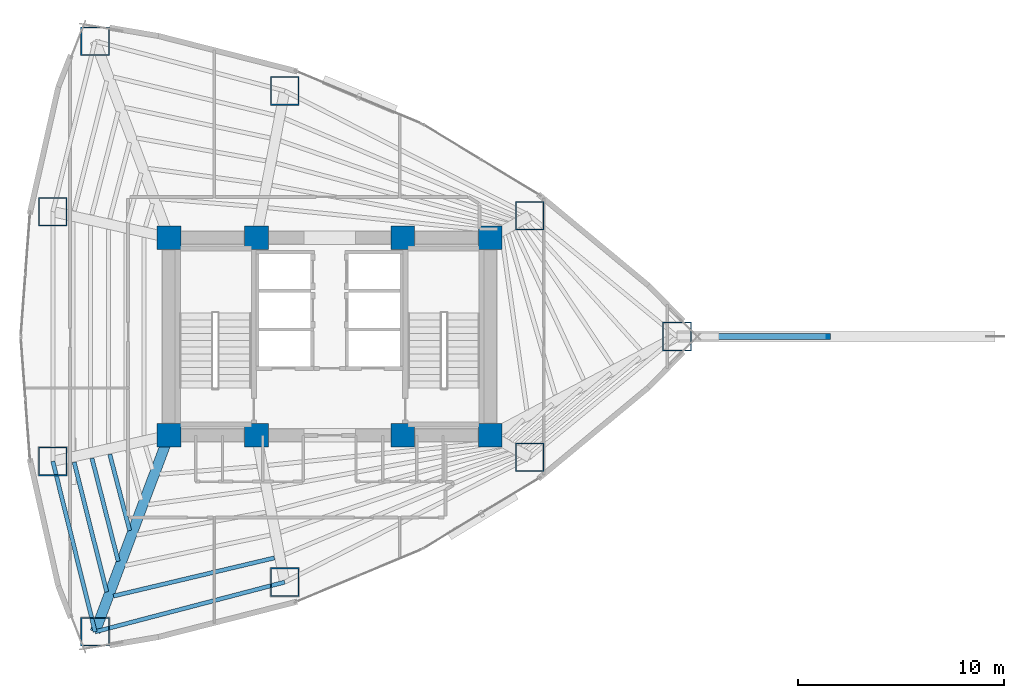
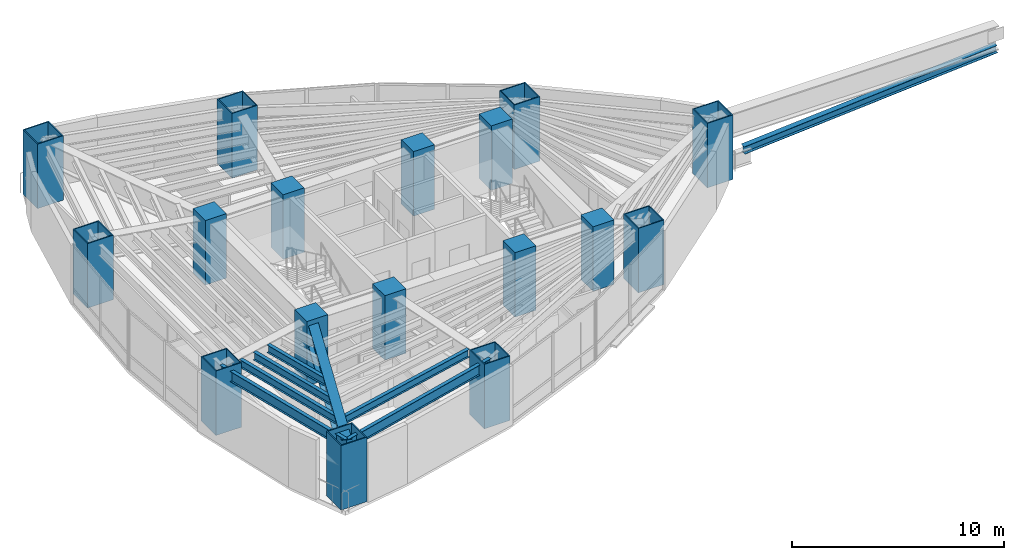
# One storey, part 1 of 18: 18 columns, 7 beams.
"""IFC4 building model written with IfcOpenShell, lengths in metres."""

from ifc_helpers import new_model, si_unit, direction, frame, origin, origin_2d, place, context, subcontext, project, spatial, rectangle, hollow_rectangle, i_section, extrude, material, material_profile, profile_set, type_object, element, save


model = new_model("IFC4")

# Units and contexts
model_context = context("Model", 3, precision=1e-05, world=origin(), true_north=direction((0.0, 1.0)))
body_context = subcontext(model_context, "Body", "Model", "MODEL_VIEW")
ifc_project = project(units=[si_unit("LENGTHUNIT", "METRE"), si_unit("AREAUNIT", "SQUARE_METRE"), si_unit("VOLUMEUNIT", "CUBIC_METRE"), si_unit("PLANEANGLEUNIT", "RADIAN"), si_unit("MASSUNIT", "GRAM", prefix="KILO")], contexts=[model_context])

# Site, building, storey
site_placement = place(None, origin())
site = spatial("IfcSite", under=ifc_project, at=site_placement, CompositionType="ELEMENT")
building_placement = place(site_placement, origin())
building = spatial("IfcBuilding", under=site, at=building_placement, Name="Menara Vayukalpa", CompositionType="ELEMENT")
storey_placement = place(building_placement, frame((0.0, 0.0, 53.639892578125)))
storey = spatial("IfcBuildingStorey", under=building, at=storey_placement, Name="L12", CompositionType="ELEMENT", Elevation=53.639892578125)

# Columns
ifc_material_1 = material(Name="Concrete C80/95", Category="concrete")
ifc_material_profile_1 = material_profile(ifc_material_1, rectangle(XDim=1.14990234375, YDim=1.14990234375, at=origin_2d()), Name="RC 1150x1150")
ifc_profile_set_1 = profile_set([ifc_material_profile_1], Name="Concrete C80/95")
column_type_1 = type_object("IfcColumnType", Name="COL-CC1", PredefinedType="COLUMN", material=ifc_profile_set_1)
for number, where, z_axis, x_axis, name in (
    (1, (17.800048828125, 17.199951171875, 0.0), (0.0, 0.0, 1.0), (1.0, 0.0, 0.0), "L12 Core Pilaster Column CC1"),
    (2, (22.050048828125, 17.199951171875, 0.0), (0.0, 0.0, 1.0), (1.0, 0.0, 0.0), "L12 Core Pilaster Column CC2"),
    (3, (29.14990234375, 17.199951171875, 0.0), (0.0, 0.0, 1.0), (1.0, 0.0, 0.0), "L12 Core Pilaster Column CC3"),
    (4, (33.39990234375, 17.199951171875, 0.0), (0.0, 0.0, 1.0), (1.0, 0.0, 0.0), "L12 Core Pilaster Column CC4"),
    (5, (17.800048828125, 26.800048828125, 0.0), (0.0, 0.0, 1.0), (1.0, 0.0, 0.0), "L12 Core Pilaster Column CC5"),
    (6, (22.050048828125, 26.800048828125, 0.0), (0.0, 0.0, 1.0), (1.0, 0.0, 0.0), "L12 Core Pilaster Column CC6"),
    (7, (29.14990234375, 26.800048828125, 0.0), (0.0, 0.0, 1.0), (1.0, 0.0, 0.0), "L12 Core Pilaster Column CC7"),
    (8, (33.39990234375, 26.800048828125, 0.0), (0.0, 0.0, 1.0), (1.0, 0.0, 0.0), "L12 Core Pilaster Column CC8"),
):
    element("IfcColumn", number, at=place(storey_placement, frame(where, z_axis=z_axis, x_axis=x_axis)), inside=storey, type_object=column_type_1, Name=name, PredefinedType="COLUMN", context=body_context, shape_type="SweptSolid", body=[
        extrude(rectangle(XDim=1.14990234375, YDim=1.14990234375, at=origin_2d()), origin(), (0.0, 0.0, 1.0), 3.72021484375),
    ])
ifc_material_2 = material(Name="Steel S460", Category="steel")
ifc_material_profile_2 = material_profile(ifc_material_2, hollow_rectangle(XDim=1.39990234375, YDim=1.39990234375, WallThickness=0.054931640625, at=origin_2d()), Name="BOX 1400x1400x55")
ifc_profile_set_2 = profile_set([ifc_material_profile_2], Name="Steel S460")
column_type_2 = type_object("IfcColumnType", Name="COL-MC1", PredefinedType="COLUMN", material=ifc_profile_set_2)
for number, where, z_axis, x_axis, name in (
    (9, (42.46484375, 22.0, 0.0), (0.0, 0.0, 1.0), (1.0, 0.0, 0.0), "L12 Perimeter Mega Column P01"),
    (10, (35.318115234375, 27.86328125, 0.0), (0.0, 0.0, 1.0), (1.0, 0.0, 0.0), "L12 Perimeter Mega Column P02"),
    (11, (23.41943359375, 33.9228515625, 0.0), (0.0, 0.0, 1.0), (1.0, 0.0, 0.0), "L12 Perimeter Mega Column P03"),
    (12, (14.217529296875, 36.33447265625, 0.0), (0.0, 0.0, 1.0), (1.0, 0.0, 0.0), "L12 Perimeter Mega Column P04"),
    (13, (12.164306640625, 28.0595703125, 0.0), (0.0, 0.0, 1.0), (1.0, 0.0, 0.0), "L12 Perimeter Mega Column P05"),
    (14, (12.164306640625, 15.9404296875, 0.0), (0.0, 0.0, 1.0), (1.0, 0.0, 0.0), "L12 Perimeter Mega Column P06"),
    (15, (14.217529296875, 7.66552734375, 0.0), (0.0, 0.0, 1.0), (1.0, 0.0, 0.0), "L12 Perimeter Mega Column P07"),
    (16, (23.41943359375, 10.0771484375, 0.0), (0.0, 0.0, 1.0), (1.0, 0.0, 0.0), "L12 Perimeter Mega Column P08"),
    (17, (35.318115234375, 16.13671875, 0.0), (0.0, 0.0, 1.0), (1.0, 0.0, 0.0), "L12 Perimeter Mega Column P09"),
):
    element("IfcColumn", number, at=place(storey_placement, frame(where, z_axis=z_axis, x_axis=x_axis)), inside=storey, type_object=column_type_2, Name=name, PredefinedType="COLUMN", context=body_context, shape_type="SweptSolid", body=[
        extrude(hollow_rectangle(XDim=1.39990234375, YDim=1.39990234375, WallThickness=0.054931640625, at=origin_2d()), origin(), (0.0, 0.0, 1.0), 3.72021484375),
    ])
ifc_material_3 = material(Name="Steel S355", Category="steel")
ifc_material_profile_3 = material_profile(ifc_material_3, i_section(OverallWidth=0.300048828125, OverallDepth=0.43994140625, WebThickness=0.010986328125, FlangeThickness=0.01806640625, at=origin_2d()), Name="H 440x300x11x18")
ifc_profile_set_3 = profile_set([ifc_material_profile_3], Name="Steel S355")
column_type_3 = type_object("IfcColumnType", Name="COL-SC2E", PredefinedType="COLUMN", material=ifc_profile_set_3)
column_placement = place(storey_placement, frame((44.11474609375, 22.0, 0.989990234375), z_axis=(0.997223217862, 0.0, 0.07447048917), x_axis=(0.0, 1.0, 0.0)))
element("IfcColumn", 18, at=column_placement, inside=storey, type_object=column_type_3, Name="L12 SB1 Exterior Inclined Mega Strut 01", PredefinedType="COLUMN", context=body_context, shape_type="SweptSolid", body=[
    extrude(i_section(OverallWidth=0.300048828125, OverallDepth=0.43994140625, WebThickness=0.010986328125, FlangeThickness=0.01806640625, at=origin_2d()), origin(), (0.0, 0.0, 1.0), 13.831298828125),
])

# Beams
ifc_material_4 = material(Name="Steel S355", Category="steel")
ifc_material_profile_4 = material_profile(ifc_material_4, i_section(OverallWidth=0.199951171875, OverallDepth=0.449951171875, WebThickness=0.009033203125, FlangeThickness=0.013916015625, at=origin_2d()), Name="WF 450x200x9x14")
ifc_profile_set_4 = profile_set([ifc_material_profile_4], Name="Steel S355")
beam_type_1 = type_object("IfcBeamType", Name="BM-SJ1", PredefinedType="JOIST", material=ifc_profile_set_4)
beam_1_placement = place(storey_placement, frame((14.928466796875, 16.28173828125, 3.215087890625), z_axis=(0.252798216169, -0.967519024052, 0.0), x_axis=(0.967519024052, 0.252798216169, 0.0)))
element("IfcBeam", 19, at=beam_1_placement, inside=storey, type_object=beam_type_1, Name="L12 Secondary Floor Joist SJ06-3", PredefinedType="JOIST", context=body_context, shape_type="SweptSolid", body=[
    extrude(i_section(OverallWidth=0.199951171875, OverallDepth=0.449951171875, WebThickness=0.009033203125, FlangeThickness=0.013916015625, at=origin_2d()), origin(), (0.0, 0.0, 1.0), 3.8291015625),
])
beam_2_placement = place(storey_placement, frame((14.064208984375, 16.08837890625, 3.215087890625), z_axis=(0.247120456018, -0.968984767794, 0.0), x_axis=(0.968984767794, 0.247120456018, 0.0)))
element("IfcBeam", 20, at=beam_2_placement, inside=storey, type_object=beam_type_1, Name="L12 Secondary Floor Joist SJ06-4", PredefinedType="JOIST", context=body_context, shape_type="SweptSolid", body=[
    extrude(i_section(OverallWidth=0.199951171875, OverallDepth=0.449951171875, WebThickness=0.009033203125, FlangeThickness=0.013916015625, at=origin_2d()), origin(), (0.0, 0.0, 1.0), 5.158935546875),
])
beam_3_placement = place(storey_placement, frame((13.200439453125, 15.8955078125, 3.215087890625), z_axis=(0.243562337974, -0.969885244511, 0.0), x_axis=(0.969885244511, 0.243562337974, 0.0)))
element("IfcBeam", 21, at=beam_3_placement, inside=storey, type_object=beam_type_1, Name="L12 Secondary Floor Joist SJ06-5", PredefinedType="JOIST", context=body_context, shape_type="SweptSolid", body=[
    extrude(i_section(OverallWidth=0.199951171875, OverallDepth=0.449951171875, WebThickness=0.009033203125, FlangeThickness=0.013916015625, at=origin_2d()), origin(), (0.0, 0.0, 1.0), 6.4892578125),
])
beam_4_placement = place(storey_placement, frame((15.109375, 9.40185546875, 3.215087890625), z_axis=(0.973045268303, 0.23061419261, 0.0), x_axis=(-0.23061419261, 0.973045268303, 0.0)))
element("IfcBeam", 22, at=beam_4_placement, inside=storey, type_object=beam_type_1, Name="L12 Secondary Floor Joist SJ07-5", PredefinedType="JOIST", context=body_context, shape_type="SweptSolid", body=[
    extrude(i_section(OverallWidth=0.199951171875, OverallDepth=0.449951171875, WebThickness=0.009033203125, FlangeThickness=0.013916015625, at=origin_2d()), origin(), (0.0, 0.0, 1.0), 8.025634765625),
])
ifc_material_5 = material(Name="Steel S355", Category="steel")
ifc_material_profile_5 = material_profile(ifc_material_5, i_section(OverallWidth=0.199951171875, OverallDepth=0.60009765625, WebThickness=0.010986328125, FlangeThickness=0.01708984375, at=origin_2d()), Name="WF 600x200x11x17")
ifc_profile_set_5 = profile_set([ifc_material_profile_5], Name="Steel S355")
beam_type_2 = type_object("IfcBeamType", Name="BM-SP1", PredefinedType="SPANDREL", material=ifc_profile_set_5)
beam_5_placement = place(storey_placement, frame((12.164306640625, 15.9404296875, 3.14013671875), z_axis=(0.240823860364, -0.970568837476, 0.0), x_axis=(0.970568837476, 0.240823860364, 0.0)))
element("IfcBeam", 23, at=beam_5_placement, inside=storey, type_object=beam_type_2, Name="L12 Perimeter Spandrel Beam SP06", PredefinedType="SPANDREL", context=body_context, shape_type="SweptSolid", body=[
    extrude(i_section(OverallWidth=0.199951171875, OverallDepth=0.60009765625, WebThickness=0.010986328125, FlangeThickness=0.01708984375, at=origin_2d()), origin(), (0.0, 0.0, 1.0), 8.52587890625),
])
beam_6_placement = place(storey_placement, frame((14.217529296875, 7.66552734375, 3.14013671875), z_axis=(0.967331024421, 0.253516644802, 0.0), x_axis=(-0.253516644802, 0.967331024421, 0.0)))
element("IfcBeam", 24, at=beam_6_placement, inside=storey, type_object=beam_type_2, Name="L12 Perimeter Spandrel Beam SP07", PredefinedType="SPANDREL", context=body_context, shape_type="SweptSolid", body=[
    extrude(i_section(OverallWidth=0.199951171875, OverallDepth=0.60009765625, WebThickness=0.010986328125, FlangeThickness=0.01708984375, at=origin_2d()), origin(), (0.0, 0.0, 1.0), 9.5126953125),
])
ifc_material_6 = material(Name="Steel S460", Category="steel")
ifc_material_profile_6 = material_profile(ifc_material_6, i_section(OverallWidth=0.5, OverallDepth=1.25, WebThickness=0.028076171875, FlangeThickness=0.054931640625, at=origin_2d()), Name="WG 1250x500x28x55")
ifc_profile_set_6 = profile_set([ifc_material_profile_6], Name="Steel S460")
beam_type_3 = type_object("IfcBeamType", Name="BM-TG2", PredefinedType="BEAM", material=ifc_profile_set_6)
beam_7_placement = place(storey_placement, frame((17.712158203125, 16.966064453125, 2.815185546875), z_axis=(-0.351734656537, -0.93609974436, 0.0), x_axis=(0.93609974436, -0.351734656537, 0.0)))
element("IfcBeam", 25, at=beam_7_placement, inside=storey, type_object=beam_type_3, Name="L12 Primary Radial Girder RG07", PredefinedType="BEAM", context=body_context, shape_type="SweptSolid", body=[
    extrude(i_section(OverallWidth=0.5, OverallDepth=1.25, WebThickness=0.028076171875, FlangeThickness=0.054931640625, at=origin_2d()), origin(), (0.0, 0.0, 1.0), 9.935302734375),
])

save(model, "model.ifc")
